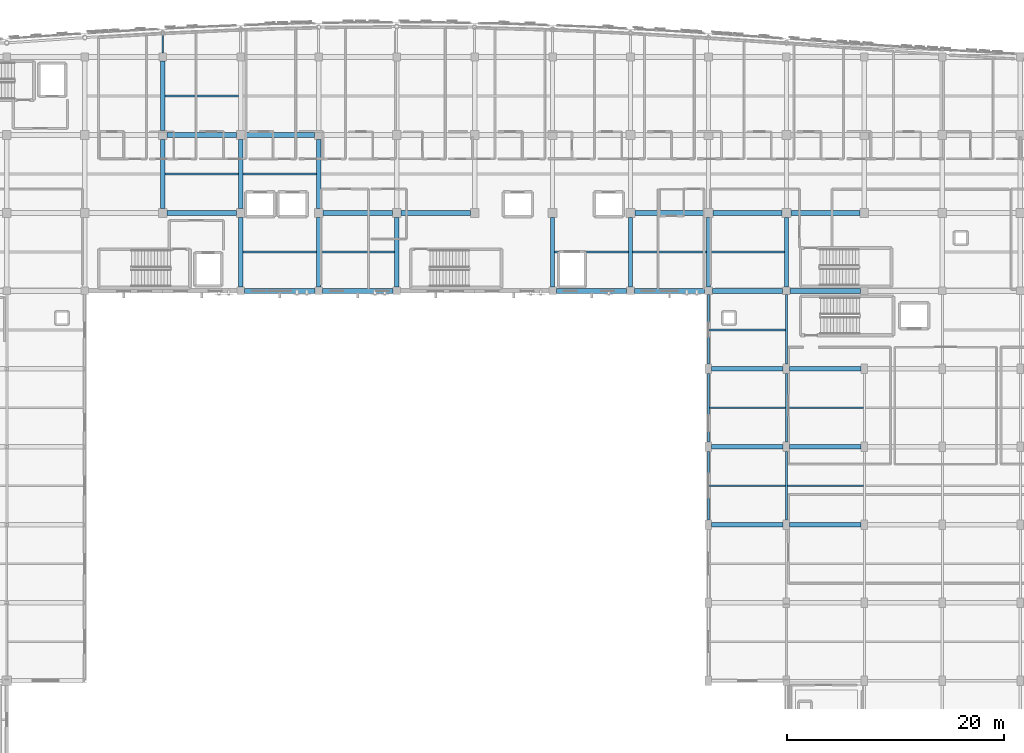
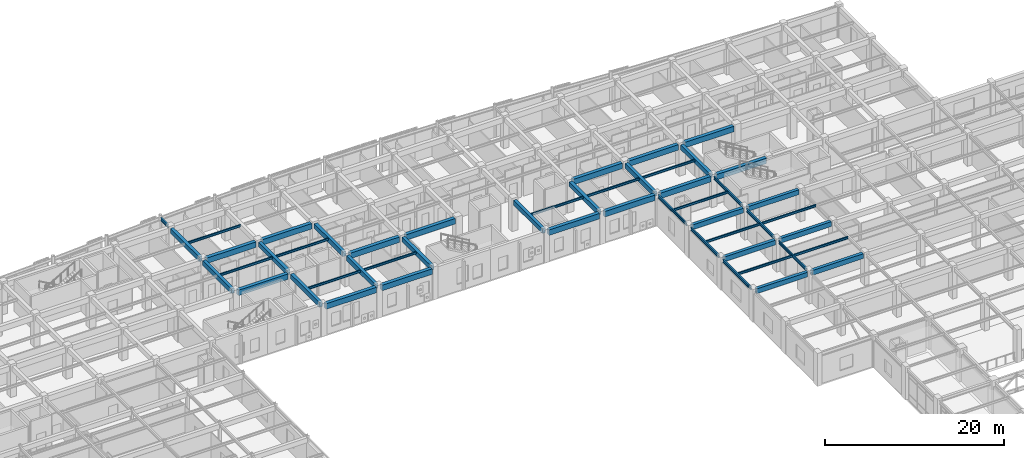
# One storey, part 34 of 106: 51 beams.
"""IFC4 building model written with IfcOpenShell, lengths in metres."""

from ifc_helpers import new_model, si_unit, direction, frame, origin, origin_2d, place, context, subcontext, project, spatial, rectangle, i_section, extrude, material, material_profile, profile_set, type_object, element, save


model = new_model("IFC4")

# Units and contexts
model_context = context("Model", 3, precision=1e-05, world=origin(), true_north=direction((0.0, 1.0)))
body_context = subcontext(model_context, "Body", "Model", "MODEL_VIEW")
ifc_project = project(units=[si_unit("LENGTHUNIT", "METRE"), si_unit("AREAUNIT", "SQUARE_METRE"), si_unit("VOLUMEUNIT", "CUBIC_METRE"), si_unit("PLANEANGLEUNIT", "RADIAN"), si_unit("MASSUNIT", "GRAM", prefix="KILO")], contexts=[model_context])

# Site, building, storey
site_placement = place(None, origin())
site = spatial("IfcSite", under=ifc_project, at=site_placement, CompositionType="ELEMENT")
building_placement = place(site_placement, origin())
building = spatial("IfcBuilding", under=site, at=building_placement, Name="Carrowvane Square Congress Hotel", CompositionType="ELEMENT")
storey_placement = place(building_placement, frame((0.0, 0.0, 10.5)))
storey = spatial("IfcBuildingStorey", under=building, at=storey_placement, Name="L02", CompositionType="ELEMENT", Elevation=10.5)

# Beams
ifc_material_1 = material(Name="Concrete C35/45", Category="concrete")
ifc_material_profile_1 = material_profile(ifc_material_1, rectangle(XDim=0.39990234375, YDim=0.64990234375, at=origin_2d()), Name="RC 400x650")
ifc_profile_set_1 = profile_set([ifc_material_profile_1], Name="Concrete C35/45")
beam_type_1 = type_object("IfcBeamType", Name="BM-RC-400x650", PredefinedType="BEAM", material=ifc_profile_set_1)
for number, where, z_axis, x_axis, name in (
    (1, (127.10009765625, 70.199951171875, 3.89501953125), (1.0, 0.0, 0.0), (0.0, 1.0, 0.0), "L03 girder K/17-18"),
    (2, (134.300048828125, 70.199951171875, 3.89501953125), (1.0, 0.0, 0.0), (0.0, 1.0, 0.0), "L03 girder K/18-19"),
    (3, (127.10009765625, 77.39990234375, 3.89501953125), (1.0, 0.0, 0.0), (0.0, 1.0, 0.0), "L03 girder L/17-18"),
    (4, (134.300048828125, 77.39990234375, 3.89501953125), (1.0, 0.0, 0.0), (0.0, 1.0, 0.0), "L03 girder L/18-19"),
    (5, (127.10009765625, 84.60009765625, 3.89501953125), (1.0, 0.0, 0.0), (0.0, 1.0, 0.0), "L03 girder M/17-18"),
    (6, (134.300048828125, 84.60009765625, 3.89501953125), (1.0, 0.0, 0.0), (0.0, 1.0, 0.0), "L03 girder M/18-19"),
):
    element("IfcBeam", number, at=place(storey_placement, frame(where, z_axis=z_axis, x_axis=x_axis)), inside=storey, type_object=beam_type_1, Name=name, PredefinedType="BEAM", context=body_context, shape_type="SweptSolid", body=[
        extrude(rectangle(XDim=0.39990234375, YDim=0.64990234375, at=origin_2d()), origin(), (0.0, 0.0, 1.0), 6.599853515625),
    ])
beam_1_placement = place(storey_placement, frame((76.39990234375, 99.39990234375, 3.89501953125), z_axis=(0.0, 1.0, 0.0), x_axis=(-1.0, 0.0, 0.0)))
element("IfcBeam", 7, at=beam_1_placement, inside=storey, type_object=beam_type_1, Name="L03 girder 10/P-Q", PredefinedType="BEAM", context=body_context, shape_type="SweptSolid", body=[
    extrude(rectangle(XDim=0.39990234375, YDim=0.64990234375, at=origin_2d()), origin(), (0.0, 0.0, 1.0), 6.400146484375),
])
beam_2_placement = place(storey_placement, frame((76.39990234375, 106.60009765625, 3.89501953125), z_axis=(0.0, 1.0, 0.0), x_axis=(-1.0, 0.0, 0.0)))
element("IfcBeam", 8, at=beam_2_placement, inside=storey, type_object=beam_type_1, Name="L03 girder 10/Q-R", PredefinedType="BEAM", context=body_context, shape_type="SweptSolid", body=[
    extrude(rectangle(XDim=0.39990234375, YDim=0.64990234375, at=origin_2d()), origin(), (0.0, 0.0, 1.0), 6.449951171875),
])
beam_3_placement = place(storey_placement, frame((83.60009765625, 92.14990234375, 3.89501953125), z_axis=(0.0, 1.0, 0.0), x_axis=(-1.0, 0.0, 0.0)))
element("IfcBeam", 9, at=beam_3_placement, inside=storey, type_object=beam_type_1, Name="L03 girder 11/N-P", PredefinedType="BEAM", context=body_context, shape_type="SweptSolid", body=[
    extrude(rectangle(XDim=0.39990234375, YDim=0.64990234375, at=origin_2d()), origin(), (0.0, 0.0, 1.0), 6.4501953125),
])
beam_4_placement = place(storey_placement, frame((83.60009765625, 99.39990234375, 3.89501953125), z_axis=(0.0, 1.0, 0.0), x_axis=(-1.0, 0.0, 0.0)))
element("IfcBeam", 10, at=beam_4_placement, inside=storey, type_object=beam_type_1, Name="L03 girder 11/P-Q", PredefinedType="BEAM", context=body_context, shape_type="SweptSolid", body=[
    extrude(rectangle(XDim=0.39990234375, YDim=0.64990234375, at=origin_2d()), origin(), (0.0, 0.0, 1.0), 6.400146484375),
])
beam_5_placement = place(storey_placement, frame((90.800048828125, 92.14990234375, 3.89501953125), z_axis=(0.0, 1.0, 0.0), x_axis=(-1.0, 0.0, 0.0)))
element("IfcBeam", 11, at=beam_5_placement, inside=storey, type_object=beam_type_1, Name="L03 girder 12/N-P", PredefinedType="BEAM", context=body_context, shape_type="SweptSolid", body=[
    extrude(rectangle(XDim=0.39990234375, YDim=0.64990234375, at=origin_2d()), origin(), (0.0, 0.0, 1.0), 6.4501953125),
])
beam_6_placement = place(storey_placement, frame((90.800048828125, 99.39990234375, 3.89501953125), z_axis=(0.0, 1.0, 0.0), x_axis=(-1.0, 0.0, 0.0)))
element("IfcBeam", 12, at=beam_6_placement, inside=storey, type_object=beam_type_1, Name="L03 girder 12/P-Q", PredefinedType="BEAM", context=body_context, shape_type="SweptSolid", body=[
    extrude(rectangle(XDim=0.39990234375, YDim=0.64990234375, at=origin_2d()), origin(), (0.0, 0.0, 1.0), 6.400146484375),
])
for number, where, z_axis, x_axis, name in (
    (13, (98.0, 92.14990234375, 3.89501953125), (0.0, 1.0, 0.0), (-1.0, 0.0, 0.0), "L03 girder 13/N-P"),
    (14, (112.39990234375, 92.14990234375, 3.89501953125), (0.0, 1.0, 0.0), (-1.0, 0.0, 0.0), "L03 girder 15/N-P"),
    (15, (119.60009765625, 92.14990234375, 3.89501953125), (0.0, 1.0, 0.0), (-1.0, 0.0, 0.0), "L03 girder 16/N-P"),
    (16, (126.800048828125, 92.14990234375, 3.89501953125), (0.0, 1.0, 0.0), (-1.0, 0.0, 0.0), "L03 girder 17/N-P"),
    (17, (134.0, 92.14990234375, 3.89501953125), (0.0, 1.0, 0.0), (-1.0, 0.0, 0.0), "L03 girder 18/N-P"),
):
    element("IfcBeam", number, at=place(storey_placement, frame(where, z_axis=z_axis, x_axis=x_axis)), inside=storey, type_object=beam_type_1, Name=name, PredefinedType="BEAM", context=body_context, shape_type="SweptSolid", body=[
        extrude(rectangle(XDim=0.39990234375, YDim=0.64990234375, at=origin_2d()), origin(), (0.0, 0.0, 1.0), 6.4501953125),
    ])
ifc_material_2 = material(Name="Concrete C35/45", Category="concrete")
ifc_material_profile_2 = material_profile(ifc_material_2, rectangle(XDim=0.449951171875, YDim=0.75, at=origin_2d()), Name="RC 450x750")
ifc_profile_set_2 = profile_set([ifc_material_profile_2], Name="Concrete C35/45")
beam_type_2 = type_object("IfcBeamType", Name="BM-RC-450x750", PredefinedType="USERDEFINED", material=ifc_profile_set_2)
for number, where, z_axis, x_axis, name in (
    (18, (83.949951171875, 91.800048828125, 3.844970703125), (1.0, 0.0, 0.0), (0.0, 1.0, 0.0), "L03 girder N/11-12"),
    (19, (91.14990234375, 91.800048828125, 3.844970703125), (1.0, 0.0, 0.0), (0.0, 1.0, 0.0), "L03 girder N/12-13"),
    (20, (112.75, 91.800048828125, 3.844970703125), (1.0, 0.0, 0.0), (0.0, 1.0, 0.0), "L03 girder N/15-16"),
    (21, (119.949951171875, 91.800048828125, 3.844970703125), (1.0, 0.0, 0.0), (0.0, 1.0, 0.0), "L03 girder N/16-17"),
    (22, (127.14990234375, 91.800048828125, 3.844970703125), (1.0, 0.0, 0.0), (0.0, 1.0, 0.0), "L03 girder N/17-18"),
    (23, (134.35009765625, 91.800048828125, 3.844970703125), (1.0, 0.0, 0.0), (0.0, 1.0, 0.0), "L03 girder N/18-19"),
):
    element("IfcBeam", number, at=place(storey_placement, frame(where, z_axis=z_axis, x_axis=x_axis)), inside=storey, type_object=beam_type_2, Name=name, ObjectType="GIRDER", PredefinedType="USERDEFINED", context=body_context, shape_type="SweptSolid", body=[
        extrude(rectangle(XDim=0.449951171875, YDim=0.75, at=origin_2d()), origin(), (0.0, 0.0, 1.0), 6.5),
    ])
beam_7_placement = place(storey_placement, frame((76.800048828125, 99.0, 3.844970703125), z_axis=(1.0, 0.0, 0.0), x_axis=(0.0, 1.0, 0.0)))
element("IfcBeam", 24, at=beam_7_placement, inside=storey, type_object=beam_type_2, Name="L03 girder P/10-11", ObjectType="GIRDER", PredefinedType="USERDEFINED", context=body_context, shape_type="SweptSolid", body=[
    extrude(rectangle(XDim=0.449951171875, YDim=0.75, at=origin_2d()), origin(), (0.0, 0.0, 1.0), 6.39990234375),
])
for number, where, z_axis, x_axis, name in (
    (25, (91.199951171875, 99.0, 3.844970703125), (1.0, 0.0, 0.0), (0.0, 1.0, 0.0), "L03 girder P/12-13"),
    (26, (98.39990234375, 99.0, 3.844970703125), (1.0, 0.0, 0.0), (0.0, 1.0, 0.0), "L03 girder P/13-14"),
):
    element("IfcBeam", number, at=place(storey_placement, frame(where, z_axis=z_axis, x_axis=x_axis)), inside=storey, type_object=beam_type_2, Name=name, ObjectType="GIRDER", PredefinedType="USERDEFINED", context=body_context, shape_type="SweptSolid", body=[
        extrude(rectangle(XDim=0.449951171875, YDim=0.75, at=origin_2d()), origin(), (0.0, 0.0, 1.0), 6.400146484375),
    ])
beam_8_placement = place(storey_placement, frame((120.0, 99.0, 3.844970703125), z_axis=(1.0, 0.0, 0.0), x_axis=(0.0, 1.0, 0.0)))
element("IfcBeam", 27, at=beam_8_placement, inside=storey, type_object=beam_type_2, Name="L03 girder P/16-17", ObjectType="GIRDER", PredefinedType="USERDEFINED", context=body_context, shape_type="SweptSolid", body=[
    extrude(rectangle(XDim=0.449951171875, YDim=0.75, at=origin_2d()), origin(), (0.0, 0.0, 1.0), 6.39990234375),
])
for number, where, z_axis, x_axis, name in (
    (28, (127.199951171875, 99.0, 3.844970703125), (1.0, 0.0, 0.0), (0.0, 1.0, 0.0), "L03 girder P/17-18"),
    (29, (134.39990234375, 99.0, 3.844970703125), (1.0, 0.0, 0.0), (0.0, 1.0, 0.0), "L03 girder P/18-19"),
):
    element("IfcBeam", number, at=place(storey_placement, frame(where, z_axis=z_axis, x_axis=x_axis)), inside=storey, type_object=beam_type_2, Name=name, ObjectType="GIRDER", PredefinedType="USERDEFINED", context=body_context, shape_type="SweptSolid", body=[
        extrude(rectangle(XDim=0.449951171875, YDim=0.75, at=origin_2d()), origin(), (0.0, 0.0, 1.0), 6.400146484375),
    ])
for number, where, z_axis, x_axis, name in (
    (30, (76.800048828125, 106.199951171875, 3.844970703125), (1.0, 0.0, 0.0), (0.0, 1.0, 0.0), "L03 girder Q/10-11"),
    (31, (84.0, 106.199951171875, 3.844970703125), (1.0, 0.0, 0.0), (0.0, 1.0, 0.0), "L03 girder Q/11-12"),
):
    element("IfcBeam", number, at=place(storey_placement, frame(where, z_axis=z_axis, x_axis=x_axis)), inside=storey, type_object=beam_type_2, Name=name, ObjectType="GIRDER", PredefinedType="USERDEFINED", context=body_context, shape_type="SweptSolid", body=[
        extrude(rectangle(XDim=0.449951171875, YDim=0.75, at=origin_2d()), origin(), (0.0, 0.0, 1.0), 6.39990234375),
    ])
ifc_material_3 = material(Name="Steel S355", Category="steel")
ifc_material_profile_3 = material_profile(ifc_material_3, i_section(OverallWidth=0.165771484375, OverallDepth=0.306640625, WebThickness=0.006591796875, FlangeThickness=0.01171875, FilletRadius=0.0087890625, at=origin_2d()), Name="UKB 305x165x46")
ifc_profile_set_3 = profile_set([ifc_material_profile_3], Name="Steel S355")
beam_type_3 = type_object("IfcBeamType", Name="BM-ST-UKB305", PredefinedType="JOIST", material=ifc_profile_set_3)
for number, where, z_axis, x_axis, name in (
    (32, (76.60009765625, 102.60009765625, 4.066650390625), (1.0, 0.0, 0.0), (0.0, 1.0, 0.0), "L03 secondary joist 10-11"),
    (33, (76.60009765625, 109.800048828125, 4.066650390625), (1.0, 0.0, 0.0), (0.0, 1.0, 0.0), "L03 secondary joist 10-11"),
):
    element("IfcBeam", number, at=place(storey_placement, frame(where, z_axis=z_axis, x_axis=x_axis)), inside=storey, type_object=beam_type_3, Name=name, PredefinedType="JOIST", context=body_context, shape_type="SweptSolid", body=[
        extrude(i_section(OverallWidth=0.165771484375, OverallDepth=0.306640625, WebThickness=0.006591796875, FlangeThickness=0.01171875, FilletRadius=0.0087890625, at=origin_2d()), origin(), (0.0, 0.0, 1.0), 6.7998046875),
    ])
for number, where, z_axis, x_axis, name in (
    (34, (83.800048828125, 95.39990234375, 4.066650390625), (1.0, 0.0, 0.0), (0.0, 1.0, 0.0), "L03 secondary joist 11-12"),
    (35, (83.800048828125, 102.60009765625, 4.066650390625), (1.0, 0.0, 0.0), (0.0, 1.0, 0.0), "L03 secondary joist 11-12"),
    (36, (91.0, 95.39990234375, 4.066650390625), (1.0, 0.0, 0.0), (0.0, 1.0, 0.0), "L03 secondary joist 12-13"),
):
    element("IfcBeam", number, at=place(storey_placement, frame(where, z_axis=z_axis, x_axis=x_axis)), inside=storey, type_object=beam_type_3, Name=name, PredefinedType="JOIST", context=body_context, shape_type="SweptSolid", body=[
        extrude(i_section(OverallWidth=0.165771484375, OverallDepth=0.306640625, WebThickness=0.006591796875, FlangeThickness=0.01171875, FilletRadius=0.0087890625, at=origin_2d()), origin(), (0.0, 0.0, 1.0), 6.800048828125),
    ])
beam_9_placement = place(storey_placement, frame((112.60009765625, 95.39990234375, 4.066650390625), z_axis=(1.0, 0.0, 0.0), x_axis=(0.0, 1.0, 0.0)))
element("IfcBeam", 37, at=beam_9_placement, inside=storey, type_object=beam_type_3, Name="L03 secondary joist 15-16", PredefinedType="JOIST", context=body_context, shape_type="SweptSolid", body=[
    extrude(i_section(OverallWidth=0.165771484375, OverallDepth=0.306640625, WebThickness=0.006591796875, FlangeThickness=0.01171875, FilletRadius=0.0087890625, at=origin_2d()), origin(), (0.0, 0.0, 1.0), 6.7998046875),
])
beam_10_placement = place(storey_placement, frame((119.800048828125, 95.39990234375, 4.066650390625), z_axis=(1.0, 0.0, 0.0), x_axis=(0.0, 1.0, 0.0)))
element("IfcBeam", 38, at=beam_10_placement, inside=storey, type_object=beam_type_3, Name="L03 secondary joist 16-17", PredefinedType="JOIST", context=body_context, shape_type="SweptSolid", body=[
    extrude(i_section(OverallWidth=0.165771484375, OverallDepth=0.306640625, WebThickness=0.006591796875, FlangeThickness=0.01171875, FilletRadius=0.0087890625, at=origin_2d()), origin(), (0.0, 0.0, 1.0), 6.800048828125),
])
for number, where, z_axis, x_axis, name in (
    (39, (126.889404296875, 73.800048828125, 4.066650390625), (1.0, 0.0, 0.0), (0.0, 1.0, 0.0), "L03 secondary joist 17-18"),
    (40, (126.889404296875, 81.0, 4.066650390625), (1.0, 0.0, 0.0), (0.0, 1.0, 0.0), "L03 secondary joist 17-18"),
    (41, (126.889404296875, 88.199951171875, 4.066650390625), (1.0, 0.0, 0.0), (0.0, 1.0, 0.0), "L03 secondary joist 17-18"),
):
    element("IfcBeam", number, at=place(storey_placement, frame(where, z_axis=z_axis, x_axis=x_axis)), inside=storey, type_object=beam_type_3, Name=name, PredefinedType="JOIST", context=body_context, shape_type="SweptSolid", body=[
        extrude(i_section(OverallWidth=0.165771484375, OverallDepth=0.306640625, WebThickness=0.006591796875, FlangeThickness=0.01171875, FilletRadius=0.0087890625, at=origin_2d()), origin(), (0.0, 0.0, 1.0), 7.021240234375),
    ])
beam_11_placement = place(storey_placement, frame((127.0, 95.39990234375, 4.066650390625), z_axis=(1.0, 0.0, 0.0), x_axis=(0.0, 1.0, 0.0)))
element("IfcBeam", 42, at=beam_11_placement, inside=storey, type_object=beam_type_3, Name="L03 secondary joist 17-18", PredefinedType="JOIST", context=body_context, shape_type="SweptSolid", body=[
    extrude(i_section(OverallWidth=0.165771484375, OverallDepth=0.306640625, WebThickness=0.006591796875, FlangeThickness=0.01171875, FilletRadius=0.0087890625, at=origin_2d()), origin(), (0.0, 0.0, 1.0), 6.800048828125),
])
for number, where, z_axis, x_axis, name in (
    (43, (134.08935546875, 73.800048828125, 4.066650390625), (1.0, 0.0, 0.0), (0.0, 1.0, 0.0), "L03 secondary joist 18-19"),
    (44, (134.08935546875, 81.0, 4.066650390625), (1.0, 0.0, 0.0), (0.0, 1.0, 0.0), "L03 secondary joist 18-19"),
):
    element("IfcBeam", number, at=place(storey_placement, frame(where, z_axis=z_axis, x_axis=x_axis)), inside=storey, type_object=beam_type_3, Name=name, PredefinedType="JOIST", context=body_context, shape_type="SweptSolid", body=[
        extrude(i_section(OverallWidth=0.165771484375, OverallDepth=0.306640625, WebThickness=0.006591796875, FlangeThickness=0.01171875, FilletRadius=0.0087890625, at=origin_2d()), origin(), (0.0, 0.0, 1.0), 7.021240234375),
    ])
ifc_material_4 = material(Name="Steel S355", Category="steel")
ifc_material_profile_4 = material_profile(ifc_material_4, i_section(OverallWidth=0.1787109375, OverallDepth=0.409423828125, WebThickness=0.0087890625, FlangeThickness=0.014404296875, FilletRadius=0.01025390625, at=origin_2d()), Name="UKB 406x178x67")
ifc_profile_set_4 = profile_set([ifc_material_profile_4], Name="Steel S355")
beam_type_4 = type_object("IfcBeamType", Name="BM-ST-UKB406", PredefinedType="BEAM", material=ifc_profile_set_4)
beam_12_placement = place(storey_placement, frame((126.800048828125, 70.64990234375, 4.015380859375), z_axis=(0.0, 1.0, 0.0), x_axis=(-1.0, 0.0, 0.0)))
element("IfcBeam", 45, at=beam_12_placement, inside=storey, type_object=beam_type_4, Name="L03 girder 17/K-L", PredefinedType="BEAM", context=body_context, shape_type="SweptSolid", body=[
    extrude(i_section(OverallWidth=0.1787109375, OverallDepth=0.409423828125, WebThickness=0.0087890625, FlangeThickness=0.014404296875, FilletRadius=0.01025390625, at=origin_2d()), origin(), (0.0, 0.0, 1.0), 6.300048828125),
])
beam_13_placement = place(storey_placement, frame((126.800048828125, 77.85009765625, 4.015380859375), z_axis=(0.0, 1.0, 0.0), x_axis=(-1.0, 0.0, 0.0)))
element("IfcBeam", 46, at=beam_13_placement, inside=storey, type_object=beam_type_4, Name="L03 girder 17/L-M", PredefinedType="BEAM", context=body_context, shape_type="SweptSolid", body=[
    extrude(i_section(OverallWidth=0.1787109375, OverallDepth=0.409423828125, WebThickness=0.0087890625, FlangeThickness=0.014404296875, FilletRadius=0.01025390625, at=origin_2d()), origin(), (0.0, 0.0, 1.0), 6.2998046875),
])
beam_14_placement = place(storey_placement, frame((126.800048828125, 85.050048828125, 4.015380859375), z_axis=(0.0, 1.0, 0.0), x_axis=(-1.0, 0.0, 0.0)))
element("IfcBeam", 47, at=beam_14_placement, inside=storey, type_object=beam_type_4, Name="L03 girder 17/M-N", PredefinedType="BEAM", context=body_context, shape_type="SweptSolid", body=[
    extrude(i_section(OverallWidth=0.1787109375, OverallDepth=0.409423828125, WebThickness=0.0087890625, FlangeThickness=0.014404296875, FilletRadius=0.01025390625, at=origin_2d()), origin(), (0.0, 0.0, 1.0), 6.39990234375),
])
beam_15_placement = place(storey_placement, frame((134.0, 70.64990234375, 4.015380859375), z_axis=(0.0, 1.0, 0.0), x_axis=(-1.0, 0.0, 0.0)))
element("IfcBeam", 48, at=beam_15_placement, inside=storey, type_object=beam_type_4, Name="L03 girder 18/K-L", PredefinedType="BEAM", context=body_context, shape_type="SweptSolid", body=[
    extrude(i_section(OverallWidth=0.1787109375, OverallDepth=0.409423828125, WebThickness=0.0087890625, FlangeThickness=0.014404296875, FilletRadius=0.01025390625, at=origin_2d()), origin(), (0.0, 0.0, 1.0), 6.300048828125),
])
beam_16_placement = place(storey_placement, frame((134.0, 77.85009765625, 4.015380859375), z_axis=(0.0, 1.0, 0.0), x_axis=(-1.0, 0.0, 0.0)))
element("IfcBeam", 49, at=beam_16_placement, inside=storey, type_object=beam_type_4, Name="L03 girder 18/L-M", PredefinedType="BEAM", context=body_context, shape_type="SweptSolid", body=[
    extrude(i_section(OverallWidth=0.1787109375, OverallDepth=0.409423828125, WebThickness=0.0087890625, FlangeThickness=0.014404296875, FilletRadius=0.01025390625, at=origin_2d()), origin(), (0.0, 0.0, 1.0), 6.2998046875),
])
beam_17_placement = place(storey_placement, frame((134.0, 85.050048828125, 4.015380859375), z_axis=(0.0, 1.0, 0.0), x_axis=(-1.0, 0.0, 0.0)))
element("IfcBeam", 50, at=beam_17_placement, inside=storey, type_object=beam_type_4, Name="L03 girder 18/M-N", PredefinedType="BEAM", context=body_context, shape_type="SweptSolid", body=[
    extrude(i_section(OverallWidth=0.1787109375, OverallDepth=0.409423828125, WebThickness=0.0087890625, FlangeThickness=0.014404296875, FilletRadius=0.01025390625, at=origin_2d()), origin(), (0.0, 0.0, 1.0), 6.39990234375),
])
beam_18_placement = place(storey_placement, frame((76.39990234375, 113.75, 4.015380859375), z_axis=(0.0, 1.0, 0.0), x_axis=(-1.0, 0.0, 0.0)))
element("IfcBeam", 51, at=beam_18_placement, inside=storey, type_object=beam_type_4, Name="L03 radial north beam 10", PredefinedType="BEAM", context=body_context, shape_type="SweptSolid", body=[
    extrude(i_section(OverallWidth=0.1787109375, OverallDepth=0.409423828125, WebThickness=0.0087890625, FlangeThickness=0.014404296875, FilletRadius=0.01025390625, at=origin_2d()), origin(), (0.0, 0.0, 1.0), 1.664306640625),
])

save(model, "model.ifc")
